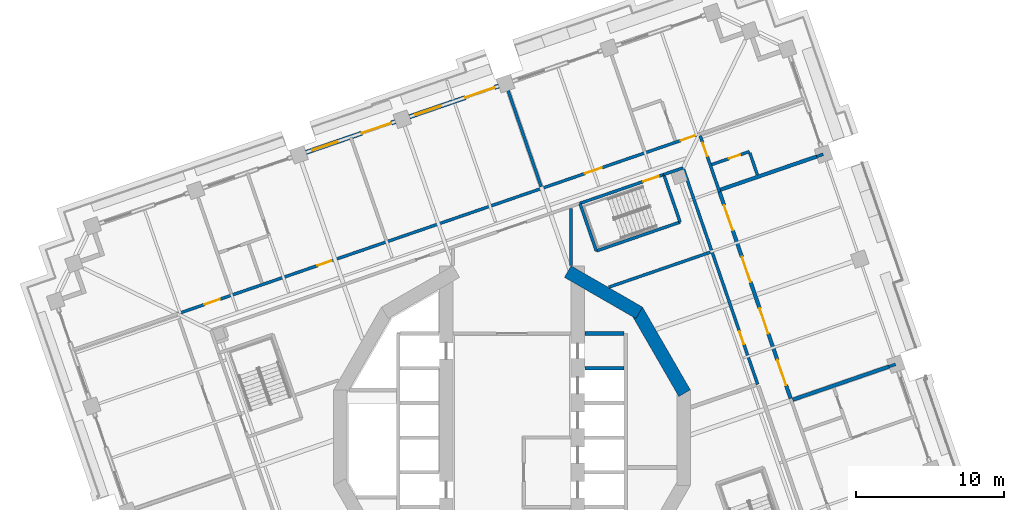
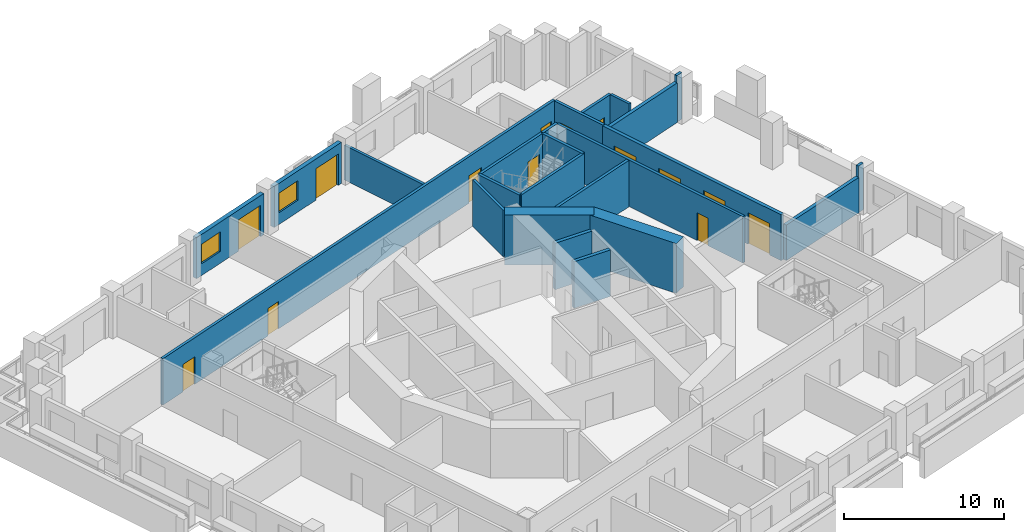
# One storey, part 9 of 19: 24 walls, 14 doors, 2 windows, 16 openings.
"""IFC4 building model written with IfcOpenShell, lengths in metres."""

from ifc_helpers import new_model, si_unit, direction, frame, frame_2d, origin, place, context, subcontext, project, spatial, rectangle, extrude, material, layer, layer_set, type_object, element, fill, save


model = new_model("IFC4")

# Units and contexts
model_context = context("Model", 3, precision=1e-05, world=origin(), true_north=direction((0.0, 1.0)))
body_context = subcontext(model_context, "Body", "Model", "MODEL_VIEW")
ifc_project = project(units=[si_unit("LENGTHUNIT", "METRE"), si_unit("AREAUNIT", "SQUARE_METRE"), si_unit("VOLUMEUNIT", "CUBIC_METRE"), si_unit("PLANEANGLEUNIT", "RADIAN"), si_unit("MASSUNIT", "GRAM", prefix="KILO")], contexts=[model_context])

# Site, building, storey
site_placement = place(None, origin())
site = spatial("IfcSite", under=ifc_project, at=site_placement, CompositionType="ELEMENT")
building_placement = place(site_placement, origin())
building = spatial("IfcBuilding", under=site, at=building_placement, Name="Cantera Rosa Tower", CompositionType="ELEMENT")
storey_placement = place(building_placement, frame((0.0, 0.0, 123.10009765625)))
storey = spatial("IfcBuildingStorey", under=building, at=storey_placement, Name="L25", CompositionType="ELEMENT", Elevation=123.10009765625)

# Walls
ifc_material_1 = material(Name="Gypsum board partition")
ifc_layer_1 = layer(ifc_material_1, 0.199951171875)
ifc_layer_set_1 = layer_set([ifc_layer_1], Name="CORRIDOR WALL 200 H3550")
wall_type_1 = type_object("IfcWallType", Name="CORRIDOR WALL 200 H3550", PredefinedType="PARTITIONING", material=ifc_layer_set_1)
wall_1_placement = place(storey_placement, frame((4.0, 15.51513671875, 0.0), z_axis=(0.0, 0.0, 1.0), x_axis=(0.0, -1.0, 0.0)))
element("IfcWall", 1, at=wall_1_placement, inside=storey, type_object=wall_type_1, Name="CORRIDOR WALL L25-056", PredefinedType="PARTITIONING", context=body_context, shape_type="SweptSolid", body=[
    extrude(rectangle(XDim=3.847900390625, YDim=0.199951171875, at=frame_2d((1.923828125, 0.0))), origin(), (0.0, 0.0, 1.0), 3.5498046875),
])
wall_2_placement = place(storey_placement, frame((11.583984375, 18.2666015625, 0.0), z_axis=(0.0, 0.0, 1.0), x_axis=(-0.945503834334, -0.325610963052, 0.0)))
element("IfcWall", 2, at=wall_2_placement, inside=storey, type_object=wall_type_1, Name="CORRIDOR WALL L25-076", PredefinedType="PARTITIONING", context=body_context, shape_type="SweptSolid", body=[
    extrude(rectangle(XDim=1.38720703125, YDim=0.199951171875, at=frame_2d((0.693603515625, 0.0))), origin(), (0.0, 0.0, 1.0), 3.5498046875),
])

# Wall, openings, doors
wall_3_placement = place(storey_placement, frame((12.699951171875, 20.5546875, 0.0), z_axis=(0.0, 0.0, 1.0), x_axis=(-0.945517119144, -0.32557238428, 0.0)))
wall_3 = element("IfcWall", 3, at=wall_3_placement, inside=storey, type_object=wall_type_1, Name="CORRIDOR WALL L25-078", PredefinedType="PARTITIONING", context=body_context, shape_type="SweptSolid", body=[
    extrude(rectangle(XDim=37.380126953125, YDim=0.199951171875, at=frame_2d((18.68994140625, 0.0))), origin(), (0.0, 0.0, 1.0), 3.5498046875),
])
opening_1_placement = place(wall_3_placement, frame((7.0, 0.0, 0.0)))
opening_1 = element("IfcOpeningElement", 4, at=opening_1_placement, cuts=wall_3, Name="Opening L25-020", PredefinedType="OPENING", context=body_context, shape_type="SweptSolid", body=[
    extrude(rectangle(XDim=1.199951171875, YDim=2.10009765625, at=frame_2d((0.60009765625, 1.050048828125))), frame((0.0, 0.10986328125, 0.0), z_axis=(0.0, -1.0, 0.0), x_axis=(1.0, 0.0, 0.0)), (0.0, 0.0, 1.0), 0.219970703125),
])
opening_2_placement = place(wall_3_placement, frame((26.35009765625, 0.0, 0.0)))
opening_2 = element("IfcOpeningElement", 5, at=opening_2_placement, cuts=wall_3, Name="Opening L25-021", PredefinedType="OPENING", context=body_context, shape_type="SweptSolid", body=[
    extrude(rectangle(XDim=1.0, YDim=2.10009765625, at=frame_2d((0.5, 1.050048828125))), frame((0.0, 0.10986328125, 0.0), z_axis=(0.0, -1.0, 0.0), x_axis=(1.0, 0.0, 0.0)), (0.0, 0.0, 1.0), 0.219970703125),
])
opening_3_placement = place(wall_3_placement, frame((0.35009765625, 0.0, 0.0)))
opening_3 = element("IfcOpeningElement", 6, at=opening_3_placement, cuts=wall_3, Name="Opening L25-024", PredefinedType="OPENING", context=body_context, shape_type="SweptSolid", body=[
    extrude(rectangle(XDim=1.0, YDim=2.10009765625, at=frame_2d((0.5, 1.050048828125))), frame((0.0, 0.10986328125, 0.0), z_axis=(0.0, -1.0, 0.0), x_axis=(1.0, 0.0, 0.0)), (0.0, 0.0, 1.0), 0.219970703125),
])
opening_4_placement = place(wall_3_placement, frame((34.35009765625, 0.0, 0.0)))
opening_4 = element("IfcOpeningElement", 7, at=opening_4_placement, cuts=wall_3, Name="Opening L25-026", PredefinedType="OPENING", context=body_context, shape_type="SweptSolid", body=[
    extrude(rectangle(XDim=1.10009765625, YDim=2.10009765625, at=frame_2d((0.550048828125, 1.050048828125))), frame((0.0, 0.10986328125, 0.0), z_axis=(0.0, -1.0, 0.0), x_axis=(1.0, 0.0, 0.0)), (0.0, 0.0, 1.0), 0.219970703125),
])
ifc_material_2 = material(Name="Timber door leaf", Category="wood")
door_type_1 = type_object("IfcDoorType", Name="ENTRANCE DOOR 1000x2100", OperationType="NOTDEFINED", PredefinedType="DOOR", material=ifc_material_2)
door_1_placement = place(opening_2_placement, origin())
door_1 = element("IfcDoor", 8, at=door_1_placement, inside=storey, type_object=door_type_1, Name="DOOR L25-021", OperationType="NOTDEFINED", OverallHeight=2.10009765625, OverallWidth=1.0, PredefinedType="DOOR", context=body_context, shape_type="SweptSolid", body=[
    extrude(rectangle(XDim=1.0, YDim=2.10009765625, at=frame_2d((0.5, 1.050048828125))), frame((0.0, 0.02490234375, 0.0), z_axis=(0.0, -1.0, 0.0), x_axis=(1.0, 0.0, 0.0)), (0.0, 0.0, 1.0), 0.050048828125),
])
fill(opening_2, door_1)
door_2_placement = place(opening_3_placement, origin())
door_2 = element("IfcDoor", 9, at=door_2_placement, inside=storey, type_object=door_type_1, Name="DOOR L25-024", OperationType="NOTDEFINED", OverallHeight=2.10009765625, OverallWidth=1.0, PredefinedType="DOOR", context=body_context, shape_type="SweptSolid", body=[
    extrude(rectangle(XDim=1.0, YDim=2.10009765625, at=frame_2d((0.5, 1.050048828125))), frame((0.0, 0.02490234375, 0.0), z_axis=(0.0, -1.0, 0.0), x_axis=(1.0, 0.0, 0.0)), (0.0, 0.0, 1.0), 0.050048828125),
])
fill(opening_3, door_2)
ifc_material_3 = material(Name="Timber door leaf", Category="wood")
door_type_2 = type_object("IfcDoorType", Name="ROOM DOOR 1100x2100", OperationType="NOTDEFINED", PredefinedType="DOOR", material=ifc_material_3)
door_3_placement = place(opening_4_placement, origin())
door_3 = element("IfcDoor", 10, at=door_3_placement, inside=storey, type_object=door_type_2, Name="DOOR L25-026", OperationType="NOTDEFINED", OverallHeight=2.10009765625, OverallWidth=1.10009765625, PredefinedType="DOOR", context=body_context, shape_type="SweptSolid", body=[
    extrude(rectangle(XDim=1.10009765625, YDim=2.10009765625, at=frame_2d((0.550048828125, 1.050048828125))), frame((0.0, 0.02490234375, 0.0), z_axis=(0.0, -1.0, 0.0), x_axis=(1.0, 0.0, 0.0)), (0.0, 0.0, 1.0), 0.050048828125),
])
fill(opening_4, door_3)
ifc_material_4 = material(Name="Timber door leaf", Category="wood")
door_type_3 = type_object("IfcDoorType", Name="ROOM DOOR 1200x2100", OperationType="NOTDEFINED", PredefinedType="DOOR", material=ifc_material_4)
door_4_placement = place(opening_1_placement, origin())
door_4 = element("IfcDoor", 11, at=door_4_placement, inside=storey, type_object=door_type_3, Name="DOOR L25-020", OperationType="NOTDEFINED", OverallHeight=2.10009765625, OverallWidth=1.199951171875, PredefinedType="DOOR", context=body_context, shape_type="SweptSolid", body=[
    extrude(rectangle(XDim=1.199951171875, YDim=2.10009765625, at=frame_2d((0.60009765625, 1.050048828125))), frame((0.0, 0.02490234375, 0.0), z_axis=(0.0, -1.0, 0.0), x_axis=(1.0, 0.0, 0.0)), (0.0, 0.0, 1.0), 0.050048828125),
])
fill(opening_1, door_4)

# Wall, opening, door
wall_4_placement = place(storey_placement, frame((16.63037109375, 3.611083984375, 0.0), z_axis=(0.0, 0.0, 1.0), x_axis=(-0.325562662284, 0.945520466689, 0.0)))
wall_4 = element("IfcWall", 12, at=wall_4_placement, inside=storey, type_object=wall_type_1, Name="CORRIDOR WALL L25-084", PredefinedType="PARTITIONING", context=body_context, shape_type="SweptSolid", body=[
    extrude(rectangle(XDim=15.39990234375, YDim=0.199951171875, at=frame_2d((7.699951171875, 0.0))), origin(), (0.0, 0.0, 1.0), 3.5498046875),
])
opening_5_placement = place(wall_4_placement, frame((2.875, 0.0, 0.0)))
opening_5 = element("IfcOpeningElement", 13, at=opening_5_placement, cuts=wall_4, Name="Opening L25-004", PredefinedType="OPENING", context=body_context, shape_type="SweptSolid", body=[
    extrude(rectangle(XDim=0.89990234375, YDim=2.10009765625, at=frame_2d((0.449951171875, 1.050048828125))), frame((0.0, 0.10986328125, 0.0), z_axis=(0.0, -1.0, 0.0), x_axis=(1.0, 0.0, 0.0)), (0.0, 0.0, 1.0), 0.219970703125),
])
ifc_material_5 = material(Name="Timber door leaf", Category="wood")
door_type_4 = type_object("IfcDoorType", Name="SERVICE DOOR 900x2100", OperationType="NOTDEFINED", PredefinedType="DOOR", material=ifc_material_5)
door_5_placement = place(opening_5_placement, origin())
door_5 = element("IfcDoor", 14, at=door_5_placement, inside=storey, type_object=door_type_4, Name="DOOR L25-004", OperationType="NOTDEFINED", OverallHeight=2.10009765625, OverallWidth=0.89990234375, PredefinedType="DOOR", context=body_context, shape_type="SweptSolid", body=[
    extrude(rectangle(XDim=0.89990234375, YDim=2.10009765625, at=frame_2d((0.449951171875, 1.050048828125))), frame((0.0, 0.02490234375, 0.0), z_axis=(0.0, -1.0, 0.0), x_axis=(1.0, 0.0, 0.0)), (0.0, 0.0, 1.0), 0.050048828125),
])
fill(opening_5, door_5)

wall_5_placement = place(storey_placement, frame((14.049560546875, 16.635498046875, 0.0), z_axis=(0.0, 0.0, 1.0), x_axis=(-0.325601838027, 0.945506976745, 0.0)))
wall_5 = element("IfcWall", 15, at=wall_5_placement, inside=storey, type_object=wall_type_1, Name="CORRIDOR WALL L25-099", PredefinedType="PARTITIONING", context=body_context, shape_type="SweptSolid", body=[
    extrude(rectangle(XDim=4.02490234375, YDim=0.199951171875, at=frame_2d((2.012451171875, 0.0))), origin(), (0.0, 0.0, 1.0), 3.5498046875),
])
opening_6_placement = place(wall_5_placement, frame((2.56005859375, 0.0, 0.0)))
opening_6 = element("IfcOpeningElement", 16, at=opening_6_placement, cuts=wall_5, Name="Opening L25-018", PredefinedType="OPENING", context=body_context, shape_type="SweptSolid", body=[
    extrude(rectangle(XDim=0.949951171875, YDim=2.10009765625, at=frame_2d((0.47509765625, 1.050048828125))), frame((0.0, 0.10986328125, 0.0), z_axis=(0.0, -1.0, 0.0), x_axis=(1.0, 0.0, 0.0)), (0.0, 0.0, 1.0), 0.219970703125),
])
ifc_material_6 = material(Name="Timber door leaf", Category="wood")
door_type_5 = type_object("IfcDoorType", Name="ROOM DOOR 950x2100", OperationType="NOTDEFINED", PredefinedType="DOOR", material=ifc_material_6)
door_6_placement = place(opening_6_placement, origin())
door_6 = element("IfcDoor", 17, at=door_6_placement, inside=storey, type_object=door_type_5, Name="DOOR L25-018", OperationType="NOTDEFINED", OverallHeight=2.10009765625, OverallWidth=0.949951171875, PredefinedType="DOOR", context=body_context, shape_type="SweptSolid", body=[
    extrude(rectangle(XDim=0.949951171875, YDim=2.10009765625, at=frame_2d((0.47509765625, 1.050048828125))), frame((0.0, 0.02490234375, 0.0), z_axis=(0.0, -1.0, 0.0), x_axis=(1.0, 0.0, 0.0)), (0.0, 0.0, 1.0), 0.050048828125),
])
fill(opening_6, door_6)

# Wall, openings, window, door
ifc_material_7 = material(Name="Hollow clay masonry with cantera stone cladding", Category="masonry")
ifc_layer_2 = layer(ifc_material_7, 0.300048828125)
ifc_layer_set_2 = layer_set([ifc_layer_2], Name="EW-LOGGIA 300 H3140")
wall_type_2 = type_object("IfcWallType", Name="EW-LOGGIA 300 H3140", PredefinedType="SOLIDWALL", material=ifc_layer_set_2)
wall_6_placement = place(storey_placement, frame((-0.89892578125, 23.80419921875, 0.0), z_axis=(0.0, 0.0, 1.0), x_axis=(-0.945524496524, -0.325550958337, 0.0)))
wall_6 = element("IfcWall", 18, at=wall_6_placement, inside=storey, type_object=wall_type_2, Name="EN-L25-W10", PredefinedType="SOLIDWALL", context=body_context, shape_type="SweptSolid", body=[
    extrude(rectangle(XDim=6.39990234375, YDim=0.300048828125, at=frame_2d((3.199951171875, 0.0))), origin(), (0.0, 0.0, 1.0), 3.139892578125),
])
opening_7_placement = place(wall_6_placement, frame((0.300048828125, 0.0, 0.0)))
opening_7 = element("IfcOpeningElement", 19, at=opening_7_placement, cuts=wall_6, Name="Opening L25-TD11", PredefinedType="OPENING", context=body_context, shape_type="SweptSolid", body=[
    extrude(rectangle(XDim=2.10009765625, YDim=2.39990234375, at=frame_2d((1.050048828125, 1.199951171875))), frame((0.0, 0.159912109375, 0.0), z_axis=(0.0, -1.0, 0.0), x_axis=(1.0, 0.0, 0.0)), (0.0, 0.0, 1.0), 0.320068359375),
])
opening_8_placement = place(wall_6_placement, frame((4.14990234375, 0.0, 0.89990234375)))
opening_8 = element("IfcOpeningElement", 20, at=opening_8_placement, cuts=wall_6, Name="Opening L25-W12", PredefinedType="OPENING", context=body_context, shape_type="SweptSolid", body=[
    extrude(rectangle(XDim=1.800048828125, YDim=1.5, at=frame_2d((0.89990234375, 0.75))), frame((0.0, 0.159912109375, 0.0), z_axis=(0.0, -1.0, 0.0), x_axis=(1.0, 0.0, 0.0)), (0.0, 0.0, 1.0), 0.320068359375),
])
ifc_material_8 = material(Name="Aluminium frame with clear glass", Category="aluminium")
window_type = type_object("IfcWindowType", Name="Hotel room window 1800x1500", PartitioningType="DOUBLE_PANEL_VERTICAL", PredefinedType="WINDOW", material=ifc_material_8)
window_1_placement = place(opening_8_placement, origin())
window_1 = element("IfcWindow", 21, at=window_1_placement, inside=storey, type_object=window_type, Name="WINDOW L25-W12", OverallHeight=1.5, OverallWidth=1.800048828125, PartitioningType="SINGLE_PANEL", PredefinedType="WINDOW", context=body_context, shape_type="SweptSolid", body=[
    extrude(rectangle(XDim=1.800048828125, YDim=1.5, at=frame_2d((0.89990234375, 0.75))), frame((0.0, 0.030029296875, 0.0), z_axis=(0.0, -1.0, 0.0), x_axis=(1.0, 0.0, 0.0)), (0.0, 0.0, 1.0), 0.06005859375),
])
fill(opening_8, window_1)
ifc_material_9 = material(Name="Aluminium frame with clear glass", Category="aluminium")
door_type_6 = type_object("IfcDoorType", Name="TD-H 2100x2400", OperationType="NOTDEFINED", PredefinedType="DOOR", material=ifc_material_9)
door_7_placement = place(opening_7_placement, origin())
door_7 = element("IfcDoor", 22, at=door_7_placement, inside=storey, type_object=door_type_6, Name="LOGGIA DOOR L25-TD11", OperationType="SLIDING_TO_LEFT", OverallHeight=2.39990234375, OverallWidth=2.10009765625, PredefinedType="DOOR", context=body_context, shape_type="SweptSolid", body=[
    extrude(rectangle(XDim=2.10009765625, YDim=2.39990234375, at=frame_2d((1.050048828125, 1.199951171875))), frame((0.0, 0.02490234375, 0.0), z_axis=(0.0, -1.0, 0.0), x_axis=(1.0, 0.0, 0.0)), (0.0, 0.0, 1.0), 0.050048828125),
])
fill(opening_7, door_7)

wall_7_placement = place(storey_placement, frame((-7.895751953125, 21.39501953125, 0.0), z_axis=(0.0, 0.0, 1.0), x_axis=(-0.945524496524, -0.325550958337, 0.0)))
wall_7 = element("IfcWall", 23, at=wall_7_placement, inside=storey, type_object=wall_type_2, Name="EN-L25-W11", PredefinedType="SOLIDWALL", context=body_context, shape_type="SweptSolid", body=[
    extrude(rectangle(XDim=6.39990234375, YDim=0.300048828125, at=frame_2d((3.199951171875, 0.0))), origin(), (0.0, 0.0, 1.0), 3.139892578125),
])
opening_9_placement = place(wall_7_placement, frame((0.300048828125, 0.0, 0.0)))
opening_9 = element("IfcOpeningElement", 24, at=opening_9_placement, cuts=wall_7, Name="Opening L25-TD13", PredefinedType="OPENING", context=body_context, shape_type="SweptSolid", body=[
    extrude(rectangle(XDim=2.10009765625, YDim=2.39990234375, at=frame_2d((1.050048828125, 1.199951171875))), frame((0.0, 0.159912109375, 0.0), z_axis=(0.0, -1.0, 0.0), x_axis=(1.0, 0.0, 0.0)), (0.0, 0.0, 1.0), 0.320068359375),
])
opening_10_placement = place(wall_7_placement, frame((4.14990234375, 0.0, 0.89990234375)))
opening_10 = element("IfcOpeningElement", 25, at=opening_10_placement, cuts=wall_7, Name="Opening L25-W14", PredefinedType="OPENING", context=body_context, shape_type="SweptSolid", body=[
    extrude(rectangle(XDim=1.800048828125, YDim=1.5, at=frame_2d((0.89990234375, 0.75))), frame((0.0, 0.159912109375, 0.0), z_axis=(0.0, -1.0, 0.0), x_axis=(1.0, 0.0, 0.0)), (0.0, 0.0, 1.0), 0.320068359375),
])
window_2_placement = place(opening_10_placement, origin())
window_2 = element("IfcWindow", 26, at=window_2_placement, inside=storey, type_object=window_type, Name="WINDOW L25-W14", OverallHeight=1.5, OverallWidth=1.800048828125, PartitioningType="SINGLE_PANEL", PredefinedType="WINDOW", context=body_context, shape_type="SweptSolid", body=[
    extrude(rectangle(XDim=1.800048828125, YDim=1.5, at=frame_2d((0.89990234375, 0.75))), frame((0.0, 0.030029296875, 0.0), z_axis=(0.0, -1.0, 0.0), x_axis=(1.0, 0.0, 0.0)), (0.0, 0.0, 1.0), 0.06005859375),
])
fill(opening_10, window_2)
door_8_placement = place(opening_9_placement, origin())
door_8 = element("IfcDoor", 27, at=door_8_placement, inside=storey, type_object=door_type_6, Name="LOGGIA DOOR L25-TD13", OperationType="SLIDING_TO_LEFT", OverallHeight=2.39990234375, OverallWidth=2.10009765625, PredefinedType="DOOR", context=body_context, shape_type="SweptSolid", body=[
    extrude(rectangle(XDim=2.10009765625, YDim=2.39990234375, at=frame_2d((1.050048828125, 1.199951171875))), frame((0.0, 0.02490234375, 0.0), z_axis=(0.0, -1.0, 0.0), x_axis=(1.0, 0.0, 0.0)), (0.0, 0.0, 1.0), 0.050048828125),
])
fill(opening_9, door_8)

# Walls
ifc_material_10 = material(Name="Concrete C40/50", Category="concrete")
ifc_layer_3 = layer(ifc_material_10, 0.25)
ifc_layer_set_3 = layer_set([ifc_layer_3], Name="EW-POCKET CHEEK 250 H2710")
wall_type_3 = type_object("IfcWallType", Name="EW-POCKET CHEEK 250 H2710", PredefinedType="SOLIDWALL", material=ifc_layer_set_3)
wall_8_placement = place(storey_placement, frame((25.52392578125, 4.81201171875, 0.0), z_axis=(0.0, 0.0, 1.0), x_axis=(-0.945509017246, -0.325595912607, 0.0)))
element("IfcWall", 28, at=wall_8_placement, inside=storey, type_object=wall_type_3, Name="POCKET CHEEK A L25", PredefinedType="SOLIDWALL", context=body_context, shape_type="SweptSolid", body=[
    extrude(rectangle(XDim=6.89990234375, YDim=0.25, at=frame_2d((3.449951171875, 0.0))), origin(), (0.0, 0.0, 1.0), 2.7099609375),
])
ifc_material_11 = material(Name="Concrete C40/50", Category="concrete")
ifc_layer_4 = layer(ifc_material_11, 0.25)
ifc_layer_set_4 = layer_set([ifc_layer_4], Name="EW-POCKET CHEEK 250 H3020")
wall_type_4 = type_object("IfcWallType", Name="EW-POCKET CHEEK 250 H3020", PredefinedType="SOLIDWALL", material=ifc_layer_set_4)
wall_9_placement = place(storey_placement, frame((20.62744140625, 19.032470703125, 0.0), z_axis=(0.0, 0.0, 1.0), x_axis=(-0.945523659879, -0.325553388263, 0.0)))
element("IfcWall", 29, at=wall_9_placement, inside=storey, type_object=wall_type_4, Name="POCKET CHEEK B L25", PredefinedType="SOLIDWALL", context=body_context, shape_type="SweptSolid", body=[
    extrude(rectangle(XDim=6.900146484375, YDim=0.25, at=frame_2d((3.4501953125, 0.0))), origin(), (0.0, 0.0, 1.0), 3.02001953125),
])

# Wall, openings, doors
ifc_material_12 = material(Name="Hollow clay masonry with cantera stone cladding", Category="masonry")
ifc_layer_5 = layer(ifc_material_12, 0.25)
ifc_layer_set_5 = layer_set([ifc_layer_5], Name="EW-POCKET REAR 250")
wall_type_5 = type_object("IfcWallType", Name="EW-POCKET REAR 250", PredefinedType="SOLIDWALL", material=ifc_layer_set_5)
wall_10_placement = place(storey_placement, frame((18.86474609375, 2.651123046875, 0.0), z_axis=(0.0, 0.0, 1.0), x_axis=(-0.325566889914, 0.945519011016, 0.0)))
wall_10 = element("IfcWall", 30, at=wall_10_placement, inside=storey, type_object=wall_type_5, Name="POCKET REAR L25", PredefinedType="SOLIDWALL", context=body_context, shape_type="SweptSolid", body=[
    extrude(rectangle(XDim=14.7900390625, YDim=0.25, at=frame_2d((7.39501953125, 0.0))), origin(), (0.0, 0.0, 1.0), 3.5),
])
opening_11_placement = place(wall_10_placement, frame((0.94873046875, 0.0, 0.0)))
opening_11 = element("IfcOpeningElement", 31, at=opening_11_placement, cuts=wall_10, Name="Opening L25-LT01", PredefinedType="OPENING", context=body_context, shape_type="SweptSolid", body=[
    extrude(rectangle(XDim=1.800048828125, YDim=2.39990234375, at=frame_2d((0.89990234375, 1.199951171875))), frame((0.0, 0.135009765625, 0.0), z_axis=(0.0, -1.0, 0.0), x_axis=(1.0, 0.0, 0.0)), (0.0, 0.0, 1.0), 0.27001953125),
])
opening_12_placement = place(wall_10_placement, frame((4.646240234375, 0.0, 0.0)))
opening_12 = element("IfcOpeningElement", 32, at=opening_12_placement, cuts=wall_10, Name="Opening L25-LT02", PredefinedType="OPENING", context=body_context, shape_type="SweptSolid", body=[
    extrude(rectangle(XDim=1.800048828125, YDim=2.39990234375, at=frame_2d((0.89990234375, 1.199951171875))), frame((0.0, 0.135009765625, 0.0), z_axis=(0.0, -1.0, 0.0), x_axis=(1.0, 0.0, 0.0)), (0.0, 0.0, 1.0), 0.27001953125),
])
opening_13_placement = place(wall_10_placement, frame((8.34375, 0.0, 0.0)))
opening_13 = element("IfcOpeningElement", 33, at=opening_13_placement, cuts=wall_10, Name="Opening L25-LT03", PredefinedType="OPENING", context=body_context, shape_type="SweptSolid", body=[
    extrude(rectangle(XDim=1.800048828125, YDim=2.39990234375, at=frame_2d((0.89990234375, 1.199951171875))), frame((0.0, 0.135009765625, 0.0), z_axis=(0.0, -1.0, 0.0), x_axis=(1.0, 0.0, 0.0)), (0.0, 0.0, 1.0), 0.27001953125),
])
opening_14_placement = place(wall_10_placement, frame((12.041259765625, 0.0, 0.0)))
opening_14 = element("IfcOpeningElement", 34, at=opening_14_placement, cuts=wall_10, Name="Opening L25-LT04", PredefinedType="OPENING", context=body_context, shape_type="SweptSolid", body=[
    extrude(rectangle(XDim=1.800048828125, YDim=2.39990234375, at=frame_2d((0.89990234375, 1.199951171875))), frame((0.0, 0.135009765625, 0.0), z_axis=(0.0, -1.0, 0.0), x_axis=(1.0, 0.0, 0.0)), (0.0, 0.0, 1.0), 0.27001953125),
])
ifc_material_13 = material(Name="Aluminium frame with clear glass", Category="aluminium")
door_type_7 = type_object("IfcDoorType", Name="TD-T 1800x2400", OperationType="NOTDEFINED", PredefinedType="DOOR", material=ifc_material_13)
door_9_placement = place(opening_11_placement, origin())
door_9 = element("IfcDoor", 35, at=door_9_placement, inside=storey, type_object=door_type_7, Name="TERRACE DOOR L25-LT01", OperationType="DOUBLE_DOOR_SINGLE_SWING", OverallHeight=2.39990234375, OverallWidth=1.800048828125, PredefinedType="DOOR", context=body_context, shape_type="SweptSolid", body=[
    extrude(rectangle(XDim=1.800048828125, YDim=2.39990234375, at=frame_2d((0.89990234375, 1.199951171875))), frame((0.0, 0.02490234375, 0.0), z_axis=(0.0, -1.0, 0.0), x_axis=(1.0, 0.0, 0.0)), (0.0, 0.0, 1.0), 0.050048828125),
])
fill(opening_11, door_9)
door_10_placement = place(opening_12_placement, origin())
door_10 = element("IfcDoor", 36, at=door_10_placement, inside=storey, type_object=door_type_7, Name="TERRACE DOOR L25-LT02", OperationType="DOUBLE_DOOR_SINGLE_SWING", OverallHeight=2.39990234375, OverallWidth=1.800048828125, PredefinedType="DOOR", context=body_context, shape_type="SweptSolid", body=[
    extrude(rectangle(XDim=1.800048828125, YDim=2.39990234375, at=frame_2d((0.89990234375, 1.199951171875))), frame((0.0, 0.02490234375, 0.0), z_axis=(0.0, -1.0, 0.0), x_axis=(1.0, 0.0, 0.0)), (0.0, 0.0, 1.0), 0.050048828125),
])
fill(opening_12, door_10)
door_11_placement = place(opening_13_placement, origin())
door_11 = element("IfcDoor", 37, at=door_11_placement, inside=storey, type_object=door_type_7, Name="TERRACE DOOR L25-LT03", OperationType="DOUBLE_DOOR_SINGLE_SWING", OverallHeight=2.39990234375, OverallWidth=1.800048828125, PredefinedType="DOOR", context=body_context, shape_type="SweptSolid", body=[
    extrude(rectangle(XDim=1.800048828125, YDim=2.39990234375, at=frame_2d((0.89990234375, 1.199951171875))), frame((0.0, 0.02490234375, 0.0), z_axis=(0.0, -1.0, 0.0), x_axis=(1.0, 0.0, 0.0)), (0.0, 0.0, 1.0), 0.050048828125),
])
fill(opening_13, door_11)
door_12_placement = place(opening_14_placement, origin())
door_12 = element("IfcDoor", 38, at=door_12_placement, inside=storey, type_object=door_type_7, Name="TERRACE DOOR L25-LT04", OperationType="DOUBLE_DOOR_SINGLE_SWING", OverallHeight=2.39990234375, OverallWidth=1.800048828125, PredefinedType="DOOR", context=body_context, shape_type="SweptSolid", body=[
    extrude(rectangle(XDim=1.800048828125, YDim=2.39990234375, at=frame_2d((0.89990234375, 1.199951171875))), frame((0.0, 0.02490234375, 0.0), z_axis=(0.0, -1.0, 0.0), x_axis=(1.0, 0.0, 0.0)), (0.0, 0.0, 1.0), 0.050048828125),
])
fill(opening_14, door_12)

# Walls
ifc_material_14 = material(Name="Gypsum board partition")
ifc_layer_6 = layer(ifc_material_14, 0.199951171875)
ifc_layer_set_6 = layer_set([ifc_layer_6], Name="PARTITION 200 H2650")
wall_type_6 = type_object("IfcWallType", Name="PARTITION 200 H2650", PredefinedType="PARTITIONING", material=ifc_layer_set_6)
wall_11_placement = place(storey_placement, frame((1.9765625, 16.989013671875, 0.0), z_axis=(0.0, 0.0, 1.0), x_axis=(-0.325549451152, 0.945525015457, 0.0)))
element("IfcWall", 39, at=wall_11_placement, inside=storey, type_object=wall_type_6, Name="PARTITION L25-049", PredefinedType="PARTITIONING", context=body_context, shape_type="SweptSolid", body=[
    extrude(rectangle(XDim=7.35009765625, YDim=0.199951171875, at=frame_2d((3.675048828125, 0.0))), origin(), (0.0, 0.0, 1.0), 2.64990234375),
])
ifc_material_15 = material(Name="Gypsum board partition")
ifc_layer_7 = layer(ifc_material_15, 0.199951171875)
ifc_layer_set_7 = layer_set([ifc_layer_7], Name="PARTITION 200 H3550")
wall_type_7 = type_object("IfcWallType", Name="PARTITION 200 H3550", PredefinedType="PARTITIONING", material=ifc_layer_set_7)
wall_12_placement = place(storey_placement, frame((6.55810546875, 10.190185546875, 0.0), z_axis=(0.0, 0.0, 1.0), x_axis=(0.945513664342, 0.325582417434, 0.0)))
element("IfcWall", 40, at=wall_12_placement, inside=storey, type_object=wall_type_7, Name="PARTITION L25-063", PredefinedType="PARTITIONING", context=body_context, shape_type="SweptSolid", body=[
    extrude(rectangle(XDim=7.26171875, YDim=0.199951171875, at=frame_2d((3.630859375, 0.0))), origin(), (0.0, 0.0, 1.0), 3.5498046875),
])

# Wall, opening, door
wall_13_placement = place(storey_placement, frame((13.517333984375, 18.488037109375, 0.0), z_axis=(0.0, 0.0, 1.0), x_axis=(0.945508383903, 0.325597751787, 0.0)))
wall_13 = element("IfcWall", 41, at=wall_13_placement, inside=storey, type_object=wall_type_7, Name="PARTITION L25-080", PredefinedType="PARTITIONING", context=body_context, shape_type="SweptSolid", body=[
    extrude(rectangle(XDim=2.7001953125, YDim=0.199951171875, at=frame_2d((1.35009765625, 0.0))), origin(), (0.0, 0.0, 1.0), 3.5498046875),
])
opening_15_placement = place(wall_13_placement, frame((1.236083984375, 0.0, 0.0)))
opening_15 = element("IfcOpeningElement", 42, at=opening_15_placement, cuts=wall_13, Name="Opening L25-019", PredefinedType="OPENING", context=body_context, shape_type="SweptSolid", body=[
    extrude(rectangle(XDim=0.800048828125, YDim=2.10009765625, at=frame_2d((0.39990234375, 1.050048828125))), frame((0.0, 0.10986328125, 0.0), z_axis=(0.0, -1.0, 0.0), x_axis=(1.0, 0.0, 0.0)), (0.0, 0.0, 1.0), 0.219970703125),
])
ifc_material_16 = material(Name="Timber door leaf", Category="wood")
door_type_8 = type_object("IfcDoorType", Name="BATHROOM DOOR 800x2100", OperationType="NOTDEFINED", PredefinedType="DOOR", material=ifc_material_16)
door_13_placement = place(opening_15_placement, origin())
door_13 = element("IfcDoor", 43, at=door_13_placement, inside=storey, type_object=door_type_8, Name="DOOR L25-019", OperationType="NOTDEFINED", OverallHeight=2.10009765625, OverallWidth=0.800048828125, PredefinedType="DOOR", context=body_context, shape_type="SweptSolid", body=[
    extrude(rectangle(XDim=0.800048828125, YDim=2.10009765625, at=frame_2d((0.39990234375, 1.050048828125))), frame((0.0, 0.02490234375, 0.0), z_axis=(0.0, -1.0, 0.0), x_axis=(1.0, 0.0, 0.0)), (0.0, 0.0, 1.0), 0.050048828125),
])
fill(opening_15, door_13)

# Walls
wall_14_placement = place(storey_placement, frame((16.102783203125, 19.2724609375, 0.0), z_axis=(0.0, 0.0, 1.0), x_axis=(0.325572385244, -0.945517118812, 0.0)))
element("IfcWall", 44, at=wall_14_placement, inside=storey, type_object=wall_type_7, Name="PARTITION L25-083", PredefinedType="PARTITIONING", context=body_context, shape_type="SweptSolid", body=[
    extrude(rectangle(XDim=1.56494140625, YDim=0.199951171875, at=frame_2d((0.782470703125, 0.0))), origin(), (0.0, 0.0, 1.0), 3.5498046875),
])
ifc_material_17 = material(Name="Gypsum board partition")
ifc_layer_8 = layer(ifc_material_17, 0.199951171875)
ifc_layer_set_8 = layer_set([ifc_layer_8], Name="PARTY WALL 200 H3550")
wall_type_8 = type_object("IfcWallType", Name="PARTY WALL 200 H3550", PredefinedType="PARTITIONING", material=ifc_layer_set_8)
wall_15_placement = place(storey_placement, frame((25.52392578125, 4.81201171875, 0.0), z_axis=(0.0, 0.0, 1.0), x_axis=(0.945521865576, 0.325558599515, 0.0)))
element("IfcWall", 45, at=wall_15_placement, inside=storey, type_object=wall_type_8, Name="PARTY WALL L25-089", PredefinedType="PARTITIONING", context=body_context, shape_type="SweptSolid", body=[
    extrude(rectangle(XDim=0.47021484375, YDim=0.199951171875, at=frame_2d((0.235107421875, 0.0))), origin(), (0.0, 0.0, 1.0), 3.5498046875),
])
wall_16_placement = place(storey_placement, frame((21.07177734375, 19.185546875, 0.0), z_axis=(0.0, 0.0, 1.0), x_axis=(-0.945626684637, -0.325254013507, 0.0)))
element("IfcWall", 46, at=wall_16_placement, inside=storey, type_object=wall_type_8, Name="PARTY WALL L25-096", PredefinedType="PARTITIONING", context=body_context, shape_type="SweptSolid", body=[
    extrude(rectangle(XDim=0.469970703125, YDim=0.199951171875, at=frame_2d((0.23486328125, 0.0))), origin(), (0.0, 0.0, 1.0), 3.5498046875),
])
ifc_material_18 = material(Name="Concrete C70/85", Category="concrete")
ifc_layer_9 = layer(ifc_material_18, 0.89990234375)
ifc_layer_set_9 = layer_set([ifc_layer_9], Name="RC CORE WALL 900 C70/85")
wall_type_9 = type_object("IfcWallType", Name="RC CORE WALL 900 C70/85", PredefinedType="SHEAR", material=ifc_layer_set_9)
wall_17_placement = place(storey_placement, frame((3.77490234375, 11.242919921875, 0.0), z_axis=(0.0, 0.0, 1.0), x_axis=(0.866026961591, -0.49999730179, 0.0)))
element("IfcWall", 47, at=wall_17_placement, inside=storey, type_object=wall_type_9, Name="CW-E1 L25", PredefinedType="SHEAR", context=body_context, shape_type="SweptSolid", body=[
    extrude(rectangle(XDim=5.58740234375, YDim=0.89990234375, at=frame_2d((2.793701171875, 0.0))), origin(), (0.0, 0.0, 1.0), 3.7998046875),
])
wall_18_placement = place(storey_placement, frame((8.44921875, 8.61376953125, 0.0), z_axis=(0.0, 0.0, 1.0), x_axis=(0.499990282633, -0.866031014036, 0.0)))
element("IfcWall", 48, at=wall_18_placement, inside=storey, type_object=wall_type_9, Name="CW-E2 L25", PredefinedType="SHEAR", context=body_context, shape_type="SweptSolid", body=[
    extrude(rectangle(XDim=6.470458984375, YDim=0.89990234375, at=frame_2d((3.2353515625, 0.0))), origin(), (0.0, 0.0, 1.0), 3.7998046875),
])
ifc_material_19 = material(Name="Masonry blockwork", Category="masonry")
ifc_layer_10 = layer(ifc_material_19, 0.25)
ifc_layer_set_10 = layer_set([ifc_layer_10], Name="SHAFT WALL 250 H3550")
wall_type_10 = type_object("IfcWallType", Name="SHAFT WALL 250 H3550", PredefinedType="SOLIDWALL", material=ifc_layer_set_10)
wall_19_placement = place(storey_placement, frame((7.574951171875, 4.699951171875, 0.0), z_axis=(0.0, 0.0, 1.0), x_axis=(-1.0, 0.0, 0.0)))
element("IfcWall", 49, at=wall_19_placement, inside=storey, type_object=wall_type_10, Name="SHAFT WALL L25-069", PredefinedType="SOLIDWALL", context=body_context, shape_type="SweptSolid", body=[
    extrude(rectangle(XDim=2.64501953125, YDim=0.25, at=frame_2d((1.322509765625, 0.0))), origin(), (0.0, 0.0, 1.0), 3.5498046875),
])
wall_20_placement = place(storey_placement, frame((7.580078125, 7.050048828125, 0.0), z_axis=(0.0, 0.0, 1.0), x_axis=(-1.0, 0.0, 0.0)))
element("IfcWall", 50, at=wall_20_placement, inside=storey, type_object=wall_type_10, Name="SHAFT WALL L25-070", PredefinedType="SOLIDWALL", context=body_context, shape_type="SweptSolid", body=[
    extrude(rectangle(XDim=2.650146484375, YDim=0.25, at=frame_2d((1.3251953125, 0.0))), origin(), (0.0, 0.0, 1.0), 3.5498046875),
])
ifc_material_20 = material(Name="Concrete C50/60", Category="concrete")
ifc_layer_11 = layer(ifc_material_20, 0.199951171875)
ifc_layer_set_11 = layer_set([ifc_layer_11], Name="STAIR WALL 200 H3550")
wall_type_11 = type_object("IfcWallType", Name="STAIR WALL 200 H3550", PredefinedType="SOLIDWALL", material=ifc_layer_set_11)
wall_21_placement = place(storey_placement, frame((5.708740234375, 12.6396484375, 0.0), z_axis=(0.0, 0.0, 1.0), x_axis=(-0.325562292844, 0.945520593894, 0.0)))
element("IfcWall", 51, at=wall_21_placement, inside=storey, type_object=wall_type_11, Name="STAIR WALL L25-061", PredefinedType="SOLIDWALL", context=body_context, shape_type="SweptSolid", body=[
    extrude(rectangle(XDim=3.407470703125, YDim=0.199951171875, at=frame_2d((1.70361328125, 0.0))), origin(), (0.0, 0.0, 1.0), 3.5498046875),
])

# Wall, opening, door
wall_22_placement = place(storey_placement, frame((10.2724609375, 17.81494140625, 0.0), z_axis=(0.0, 0.0, 1.0), x_axis=(-0.945520338581, -0.325563034341, 0.0)))
wall_22 = element("IfcWall", 52, at=wall_22_placement, inside=storey, type_object=wall_type_11, Name="STAIR WALL L25-073", PredefinedType="SOLIDWALL", context=body_context, shape_type="SweptSolid", body=[
    extrude(rectangle(XDim=6.0, YDim=0.199951171875, at=frame_2d((3.0, 0.0))), origin(), (0.0, 0.0, 1.0), 3.5498046875),
])
opening_16_placement = place(wall_22_placement, frame((0.375, 0.0, 0.0)))
opening_16 = element("IfcOpeningElement", 53, at=opening_16_placement, cuts=wall_22, Name="Opening L25-001", PredefinedType="OPENING", context=body_context, shape_type="SweptSolid", body=[
    extrude(rectangle(XDim=1.10009765625, YDim=2.10009765625, at=frame_2d((0.550048828125, 1.050048828125))), frame((0.0, 0.10986328125, 0.0), z_axis=(0.0, -1.0, 0.0), x_axis=(1.0, 0.0, 0.0)), (0.0, 0.0, 1.0), 0.219970703125),
])
ifc_material_21 = material(Name="Steel S355J2 (EN 10025-2)", Category="steel")
door_type_9 = type_object("IfcDoorType", Name="STAIR DOOR 1100x2100", OperationType="NOTDEFINED", PredefinedType="DOOR", material=ifc_material_21)
door_14_placement = place(opening_16_placement, origin())
door_14 = element("IfcDoor", 54, at=door_14_placement, inside=storey, type_object=door_type_9, Name="DOOR L25-001", OperationType="NOTDEFINED", OverallHeight=2.10009765625, OverallWidth=1.10009765625, PredefinedType="DOOR", context=body_context, shape_type="SweptSolid", body=[
    extrude(rectangle(XDim=1.10009765625, YDim=2.10009765625, at=frame_2d((0.550048828125, 1.050048828125))), frame((0.0, 0.02490234375, 0.0), z_axis=(0.0, -1.0, 0.0), x_axis=(1.0, 0.0, 0.0)), (0.0, 0.0, 1.0), 0.050048828125),
])
fill(opening_16, door_14)

# Walls
wall_23_placement = place(storey_placement, frame((10.2724609375, 17.81494140625, 0.0), z_axis=(0.0, 0.0, 1.0), x_axis=(0.325562292844, -0.945520593894, 0.0)))
element("IfcWall", 55, at=wall_23_placement, inside=storey, type_object=wall_type_11, Name="STAIR WALL L25-074", PredefinedType="SOLIDWALL", context=body_context, shape_type="SweptSolid", body=[
    extrude(rectangle(XDim=3.407470703125, YDim=0.199951171875, at=frame_2d((1.70361328125, 0.0))), origin(), (0.0, 0.0, 1.0), 3.5498046875),
])
wall_24_placement = place(storey_placement, frame((11.3818359375, 14.593017578125, 0.0), z_axis=(0.0, 0.0, 1.0), x_axis=(-0.945520338581, -0.325563034341, 0.0)))
element("IfcWall", 56, at=wall_24_placement, inside=storey, type_object=wall_type_11, Name="STAIR WALL L25-075", PredefinedType="SOLIDWALL", context=body_context, shape_type="SweptSolid", body=[
    extrude(rectangle(XDim=6.0, YDim=0.199951171875, at=frame_2d((3.0, 0.0))), origin(), (0.0, 0.0, 1.0), 3.5498046875),
])

save(model, "model.ifc")
